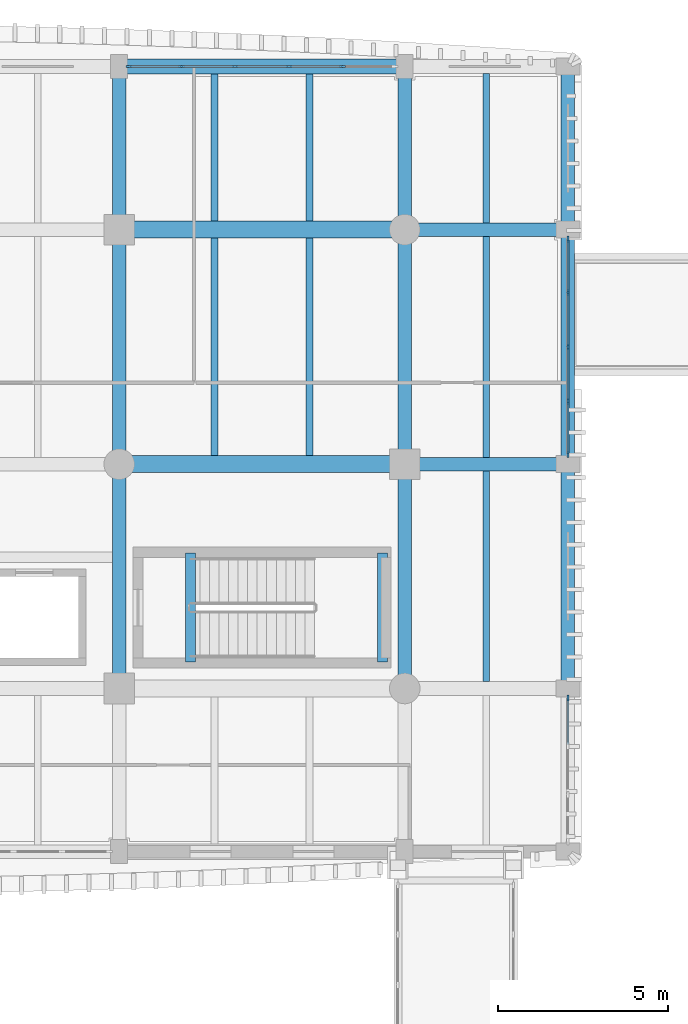
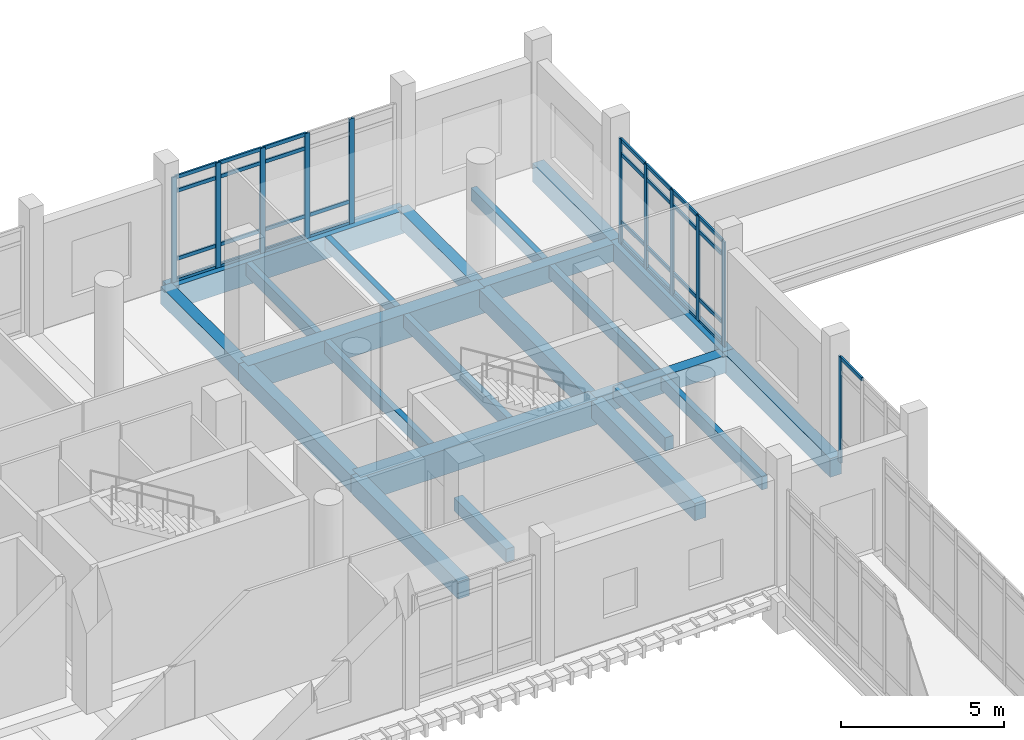
# One storey, part 29 of 101: 42 members, 23 beams, 3 elements without a shape of their own.
"""IFC4 building model written with IfcOpenShell, lengths in metres."""

from ifc_helpers import new_model, si_unit, direction, frame, origin, origin_2d, place, context, subcontext, project, spatial, rectangle, extrude, material, material_profile, profile_set, type_object, element, aggregate, save


model = new_model("IFC4")

# Units and contexts
model_context = context("Model", 3, precision=1e-05, world=origin(), true_north=direction((0.0, 1.0)))
body_context = subcontext(model_context, "Body", "Model", "MODEL_VIEW")
ifc_project = project(units=[si_unit("LENGTHUNIT", "METRE"), si_unit("AREAUNIT", "SQUARE_METRE"), si_unit("VOLUMEUNIT", "CUBIC_METRE"), si_unit("PLANEANGLEUNIT", "RADIAN"), si_unit("MASSUNIT", "GRAM", prefix="KILO")], contexts=[model_context])

# Site, building, storey
site_placement = place(None, origin())
site = spatial("IfcSite", under=ifc_project, at=site_placement, CompositionType="ELEMENT")
building_placement = place(site_placement, origin())
building = spatial("IfcBuilding", under=site, at=building_placement, Name="Dornvale Research Institute", CompositionType="ELEMENT")
storey_placement = place(building_placement, frame((0.0, 0.0, 10.199951171875)))
storey = spatial("IfcBuildingStorey", under=building, at=storey_placement, Name="L02", CompositionType="ELEMENT", Elevation=10.199951171875)

# Beams
ifc_material_1 = material(Name="Concrete f'c 45 MPa (C35/45)", Category="concrete")
ifc_material_profile_1 = material_profile(ifc_material_1, rectangle(XDim=0.300048828125, YDim=0.5, at=origin_2d()), Name="RC 300x500")
ifc_profile_set_1 = profile_set([ifc_material_profile_1], Name="Concrete f'c 45 MPa (C35/45)")
beam_type_1 = type_object("IfcBeamType", Name="Beam_RC300x500_Trim", PredefinedType="BEAM", material=ifc_profile_set_1)
for number, where, z_axis, x_axis, name in (
    (1, (35.10009765625, 104.580078125, -0.25), (0.0, 1.0, 0.0), (-1.0, 0.0, 0.0), "L02 ST-2 stair landing trimmer beam #26"),
    (2, (40.75, 104.580078125, 1.949951171875), (0.0, 1.0, 0.0), (-1.0, 0.0, 0.0), "L02 ST-2 half-landing support beam #39"),
):
    element("IfcBeam", number, at=place(storey_placement, frame(where, z_axis=z_axis, x_axis=x_axis)), inside=storey, type_object=beam_type_1, Name=name, PredefinedType="BEAM", context=body_context, shape_type="SweptSolid", body=[
        extrude(rectangle(XDim=0.300048828125, YDim=0.5, at=origin_2d()), origin(), (0.0, 0.0, 1.0), 3.199951171875),
    ])
ifc_material_2 = material(Name="Concrete f'c 45 MPa (C35/45)", Category="concrete")
ifc_material_profile_2 = material_profile(ifc_material_2, rectangle(XDim=0.39990234375, YDim=0.64990234375, at=origin_2d()), Name="RC 400x650")
ifc_profile_set_2 = profile_set([ifc_material_profile_2], Name="Concrete f'c 45 MPa (C35/45)")
beam_type_2 = type_object("IfcBeamType", Name="Beam_RC400x650_Floor", PredefinedType="BEAM", material=ifc_profile_set_2)
for number, where, z_axis, x_axis, name in (
    (3, (41.39990234375, 110.39990234375, -0.324951171875), (1.0, 0.0, 0.0), (0.0, 1.0, 0.0), "L02 primary girder #588"),
    (4, (41.39990234375, 117.300048828125, -0.324951171875), (1.0, 0.0, 0.0), (0.0, 1.0, 0.0), "L02 primary girder #595"),
):
    element("IfcBeam", number, at=place(storey_placement, frame(where, z_axis=z_axis, x_axis=x_axis)), inside=storey, type_object=beam_type_2, Name=name, PredefinedType="BEAM", context=body_context, shape_type="SweptSolid", body=[
        extrude(rectangle(XDim=0.39990234375, YDim=0.64990234375, at=origin_2d()), origin(), (0.0, 0.0, 1.0), 4.800048828125),
    ])
beam_1_placement = place(storey_placement, frame((33.0, 103.800048828125, -0.324951171875), z_axis=(0.0, 1.0, 0.0), x_axis=(-1.0, 0.0, 0.0)))
element("IfcBeam", 5, at=beam_1_placement, inside=storey, type_object=beam_type_2, Name="L02 transverse girder #624", PredefinedType="BEAM", context=body_context, shape_type="SweptSolid", body=[
    extrude(rectangle(XDim=0.39990234375, YDim=0.64990234375, at=origin_2d()), origin(), (0.0, 0.0, 1.0), 6.599853515625),
])
beam_2_placement = place(storey_placement, frame((33.0, 110.39990234375, -0.324951171875), z_axis=(0.0, 1.0, 0.0), x_axis=(-1.0, 0.0, 0.0)))
element("IfcBeam", 6, at=beam_2_placement, inside=storey, type_object=beam_type_2, Name="L02 transverse girder #625", PredefinedType="BEAM", context=body_context, shape_type="SweptSolid", body=[
    extrude(rectangle(XDim=0.39990234375, YDim=0.64990234375, at=origin_2d()), origin(), (0.0, 0.0, 1.0), 6.900146484375),
])
beam_3_placement = place(storey_placement, frame((33.0, 117.300048828125, -0.324951171875), z_axis=(0.0, 1.0, 0.0), x_axis=(-1.0, 0.0, 0.0)))
element("IfcBeam", 7, at=beam_3_placement, inside=storey, type_object=beam_type_2, Name="L02 transverse girder #626", PredefinedType="BEAM", context=body_context, shape_type="SweptSolid", body=[
    extrude(rectangle(XDim=0.39990234375, YDim=0.64990234375, at=origin_2d()), origin(), (0.0, 0.0, 1.0), 4.800048828125),
])
beam_4_placement = place(storey_placement, frame((41.39990234375, 103.800048828125, -0.324951171875), z_axis=(0.0, 1.0, 0.0), x_axis=(-1.0, 0.0, 0.0)))
element("IfcBeam", 8, at=beam_4_placement, inside=storey, type_object=beam_type_2, Name="L02 transverse girder #628", PredefinedType="BEAM", context=body_context, shape_type="SweptSolid", body=[
    extrude(rectangle(XDim=0.39990234375, YDim=0.64990234375, at=origin_2d()), origin(), (0.0, 0.0, 1.0), 6.599853515625),
])
beam_5_placement = place(storey_placement, frame((41.39990234375, 110.39990234375, -0.324951171875), z_axis=(0.0, 1.0, 0.0), x_axis=(-1.0, 0.0, 0.0)))
element("IfcBeam", 9, at=beam_5_placement, inside=storey, type_object=beam_type_2, Name="L02 transverse girder #629", PredefinedType="BEAM", context=body_context, shape_type="SweptSolid", body=[
    extrude(rectangle(XDim=0.39990234375, YDim=0.64990234375, at=origin_2d()), origin(), (0.0, 0.0, 1.0), 6.900146484375),
])
beam_6_placement = place(storey_placement, frame((41.39990234375, 117.300048828125, -0.324951171875), z_axis=(0.0, 1.0, 0.0), x_axis=(-1.0, 0.0, 0.0)))
element("IfcBeam", 10, at=beam_6_placement, inside=storey, type_object=beam_type_2, Name="L02 transverse girder #630", PredefinedType="BEAM", context=body_context, shape_type="SweptSolid", body=[
    extrude(rectangle(XDim=0.39990234375, YDim=0.64990234375, at=origin_2d()), origin(), (0.0, 0.0, 1.0), 4.800048828125),
])
ifc_material_3 = material(Name="Concrete f'c 45 MPa (C35/45)", Category="concrete")
ifc_material_profile_3 = material_profile(ifc_material_3, rectangle(XDim=0.5, YDim=0.949951171875, at=origin_2d()), Name="RC 500x950")
ifc_profile_set_3 = profile_set([ifc_material_profile_3], Name="Concrete f'c 45 MPa (C35/45)")
beam_type_3 = type_object("IfcBeamType", Name="Beam_RC500x950_Girder", PredefinedType="BEAM", material=ifc_profile_set_3)
for number, where, z_axis, x_axis, name in (
    (11, (33.0, 110.39990234375, -0.474853515625), (1.0, 0.0, 0.0), (0.0, 1.0, 0.0), "L02 primary girder #587"),
    (12, (33.0, 117.300048828125, -0.474853515625), (1.0, 0.0, 0.0), (0.0, 1.0, 0.0), "L02 primary girder #594"),
):
    element("IfcBeam", number, at=place(storey_placement, frame(where, z_axis=z_axis, x_axis=x_axis)), inside=storey, type_object=beam_type_3, Name=name, PredefinedType="BEAM", context=body_context, shape_type="SweptSolid", body=[
        extrude(rectangle(XDim=0.5, YDim=0.949951171875, at=origin_2d()), origin(), (0.0, 0.0, 1.0), 8.39990234375),
    ])
ifc_material_4 = material(Name="Concrete f'c 45 MPa (C35/45)", Category="concrete")
ifc_material_profile_4 = material_profile(ifc_material_4, rectangle(XDim=0.199951171875, YDim=0.485107421875, at=origin_2d()), Name="RC 200x485")
ifc_profile_set_4 = profile_set([ifc_material_profile_4], Name="Concrete f'c 45 MPa (C35/45)")
beam_type_4 = type_object("IfcBeamType", Name="Joist_RC200x485_Rib", PredefinedType="JOIST", material=ifc_profile_set_4)
for number, where, z_axis, x_axis, name in (
    (13, (35.800048828125, 110.64990234375, -0.242431640625), (0.0, 1.0, 0.0), (-1.0, 0.0, 0.0), "L02 laboratory waffle joist #306"),
    (14, (38.60009765625, 110.64990234375, -0.242431640625), (0.0, 1.0, 0.0), (-1.0, 0.0, 0.0), "L02 laboratory waffle joist #307"),
):
    element("IfcBeam", number, at=place(storey_placement, frame(where, z_axis=z_axis, x_axis=x_axis)), inside=storey, type_object=beam_type_4, Name=name, PredefinedType="JOIST", context=body_context, shape_type="SweptSolid", body=[
        extrude(rectangle(XDim=0.199951171875, YDim=0.485107421875, at=origin_2d()), origin(), (0.0, 0.0, 1.0), 6.400146484375),
    ])
for number, where, z_axis, x_axis, name in (
    (15, (35.800048828125, 117.550048828125, -0.242431640625), (0.0, 1.0, 0.0), (-1.0, 0.0, 0.0), "L02 laboratory waffle joist #308"),
    (16, (38.60009765625, 117.550048828125, -0.242431640625), (0.0, 1.0, 0.0), (-1.0, 0.0, 0.0), "L02 laboratory waffle joist #309"),
):
    element("IfcBeam", number, at=place(storey_placement, frame(where, z_axis=z_axis, x_axis=x_axis)), inside=storey, type_object=beam_type_4, Name=name, PredefinedType="JOIST", context=body_context, shape_type="SweptSolid", body=[
        extrude(rectangle(XDim=0.199951171875, YDim=0.485107421875, at=origin_2d()), origin(), (0.0, 0.0, 1.0), 4.324951171875),
    ])
beam_7_placement = place(storey_placement, frame((43.800048828125, 104.0, -0.242431640625), z_axis=(0.0, 1.0, 0.0), x_axis=(-1.0, 0.0, 0.0)))
element("IfcBeam", 17, at=beam_7_placement, inside=storey, type_object=beam_type_4, Name="L02 laboratory waffle joist #311", PredefinedType="JOIST", context=body_context, shape_type="SweptSolid", body=[
    extrude(rectangle(XDim=0.199951171875, YDim=0.485107421875, at=origin_2d()), origin(), (0.0, 0.0, 1.0), 6.199951171875),
])
beam_8_placement = place(storey_placement, frame((43.800048828125, 110.60009765625, -0.242431640625), z_axis=(0.0, 1.0, 0.0), x_axis=(-1.0, 0.0, 0.0)))
element("IfcBeam", 18, at=beam_8_placement, inside=storey, type_object=beam_type_4, Name="L02 laboratory waffle joist #312", PredefinedType="JOIST", context=body_context, shape_type="SweptSolid", body=[
    extrude(rectangle(XDim=0.199951171875, YDim=0.485107421875, at=origin_2d()), origin(), (0.0, 0.0, 1.0), 6.5),
])
beam_9_placement = place(storey_placement, frame((43.800048828125, 117.5, -0.242431640625), z_axis=(0.0, 1.0, 0.0), x_axis=(-1.0, 0.0, 0.0)))
element("IfcBeam", 19, at=beam_9_placement, inside=storey, type_object=beam_type_4, Name="L02 laboratory waffle joist #313", PredefinedType="JOIST", context=body_context, shape_type="SweptSolid", body=[
    extrude(rectangle(XDim=0.199951171875, YDim=0.485107421875, at=origin_2d()), origin(), (0.0, 0.0, 1.0), 4.39990234375),
])

# Curtain wall, members
ifc_material_5 = material(Name="Low-E Argon Double Insulating Glazing Unit", Category="glass")
curtain_wall_type_1 = type_object("IfcCurtainWallType", Name="UnitisedCurtainWall_V5_7900x3950", PredefinedType="USERDEFINED", material=ifc_material_5)
curtain_wall_1_placement = place(storey_placement, origin())
curtain_wall_1 = element("IfcCurtainWall", 20, at=curtain_wall_1_placement, inside=storey, type_object=curtain_wall_type_1, Name="L02 V5 unitised curtain wall CW-24 #142", ObjectType="UNITISED CURTAIN WALL", PredefinedType="USERDEFINED")
ifc_material_6 = material(Name="Anodized Aluminum AA 6063-T6 Thermally Broken Frame", Category="aluminium")
ifc_material_profile_5 = material_profile(ifc_material_6, rectangle(XDim=0.06494140625, YDim=0.179931640625, at=origin_2d()), Name="ALU MULLION 65x180")
ifc_profile_set_5 = profile_set([ifc_material_profile_5], Name="Anodized Aluminum AA 6063-T6 Thermally Broken Frame")
member_type_1 = type_object("IfcMemberType", Name="Mullion_CW_65x180", PredefinedType="MULLION", material=ifc_profile_set_5)
member_1_placement = place(storey_placement, frame((33.282470703125, 122.10009765625, 0.0), z_axis=(0.0, 0.0, 1.0), x_axis=(0.0, 1.0, 0.0)))
member_1 = element("IfcMember", 21, at=member_1_placement, type_object=member_type_1, Name="CW-24 mullion 1", PredefinedType="MULLION", context=body_context, shape_type="SweptSolid", body=[
    extrude(rectangle(XDim=0.06494140625, YDim=0.179931640625, at=origin_2d()), origin(), (0.0, 0.0, 1.0), 3.949951171875),
])
member_2_placement = place(storey_placement, frame((34.830078125, 122.10009765625, 0.0), z_axis=(0.0, 0.0, 1.0), x_axis=(0.0, 1.0, 0.0)))
member_2 = element("IfcMember", 22, at=member_2_placement, type_object=member_type_1, Name="CW-24 mullion 2", PredefinedType="MULLION", context=body_context, shape_type="SweptSolid", body=[
    extrude(rectangle(XDim=0.06494140625, YDim=0.179931640625, at=origin_2d()), origin(), (0.0, 0.0, 1.0), 3.949951171875),
])
member_3_placement = place(storey_placement, frame((36.409912109375, 122.10009765625, 0.0), z_axis=(0.0, 0.0, 1.0), x_axis=(0.0, 1.0, 0.0)))
member_3 = element("IfcMember", 23, at=member_3_placement, type_object=member_type_1, Name="CW-24 mullion 3", PredefinedType="MULLION", context=body_context, shape_type="SweptSolid", body=[
    extrude(rectangle(XDim=0.06494140625, YDim=0.179931640625, at=origin_2d()), origin(), (0.0, 0.0, 1.0), 3.949951171875),
])
member_4_placement = place(storey_placement, frame((37.989990234375, 122.10009765625, 0.0), z_axis=(0.0, 0.0, 1.0), x_axis=(0.0, 1.0, 0.0)))
member_4 = element("IfcMember", 24, at=member_4_placement, type_object=member_type_1, Name="CW-24 mullion 4", PredefinedType="MULLION", context=body_context, shape_type="SweptSolid", body=[
    extrude(rectangle(XDim=0.06494140625, YDim=0.179931640625, at=origin_2d()), origin(), (0.0, 0.0, 1.0), 3.949951171875),
])
member_5_placement = place(storey_placement, frame((39.570068359375, 122.10009765625, 0.0), z_axis=(0.0, 0.0, 1.0), x_axis=(0.0, 1.0, 0.0)))
member_5 = element("IfcMember", 25, at=member_5_placement, type_object=member_type_1, Name="CW-24 mullion 5", PredefinedType="MULLION", context=body_context, shape_type="SweptSolid", body=[
    extrude(rectangle(XDim=0.06494140625, YDim=0.179931640625, at=origin_2d()), origin(), (0.0, 0.0, 1.0), 3.949951171875),
])

ifc_material_7 = material(Name="Low-E Argon Double Insulating Glazing Unit", Category="glass")
curtain_wall_type_2 = type_object("IfcCurtainWallType", Name="UnitisedCurtainWall_V5_6400x3950", PredefinedType="USERDEFINED", material=ifc_material_7)
curtain_wall_2_placement = place(storey_placement, origin())
curtain_wall_2 = element("IfcCurtainWall", 26, at=curtain_wall_2_placement, inside=storey, type_object=curtain_wall_type_2, Name="L02 V5 unitised curtain wall CW-28 #143", ObjectType="UNITISED CURTAIN WALL", PredefinedType="USERDEFINED")
member_6_placement = place(storey_placement, frame((46.199951171875, 117.017578125, 0.0), z_axis=(0.0, 0.0, 1.0), x_axis=(1.0, 0.0, 0.0)))
member_6 = element("IfcMember", 27, at=member_6_placement, type_object=member_type_1, Name="CW-28 mullion 1", PredefinedType="MULLION", context=body_context, shape_type="SweptSolid", body=[
    extrude(rectangle(XDim=0.06494140625, YDim=0.179931640625, at=origin_2d()), origin(), (0.0, 0.0, 1.0), 3.949951171875),
])
member_7_placement = place(storey_placement, frame((46.199951171875, 115.449951171875, 0.0), z_axis=(0.0, 0.0, 1.0), x_axis=(1.0, 0.0, 0.0)))
member_7 = element("IfcMember", 28, at=member_7_placement, type_object=member_type_1, Name="CW-28 mullion 2", PredefinedType="MULLION", context=body_context, shape_type="SweptSolid", body=[
    extrude(rectangle(XDim=0.06494140625, YDim=0.179931640625, at=origin_2d()), origin(), (0.0, 0.0, 1.0), 3.949951171875),
])
member_8_placement = place(storey_placement, frame((46.199951171875, 113.85009765625, 0.0), z_axis=(0.0, 0.0, 1.0), x_axis=(1.0, 0.0, 0.0)))
member_8 = element("IfcMember", 29, at=member_8_placement, type_object=member_type_1, Name="CW-28 mullion 3", PredefinedType="MULLION", context=body_context, shape_type="SweptSolid", body=[
    extrude(rectangle(XDim=0.06494140625, YDim=0.179931640625, at=origin_2d()), origin(), (0.0, 0.0, 1.0), 3.949951171875),
])
member_9_placement = place(storey_placement, frame((46.199951171875, 112.25, 0.0), z_axis=(0.0, 0.0, 1.0), x_axis=(1.0, 0.0, 0.0)))
member_9 = element("IfcMember", 30, at=member_9_placement, type_object=member_type_1, Name="CW-28 mullion 4", PredefinedType="MULLION", context=body_context, shape_type="SweptSolid", body=[
    extrude(rectangle(XDim=0.06494140625, YDim=0.179931640625, at=origin_2d()), origin(), (0.0, 0.0, 1.0), 3.949951171875),
])
member_10_placement = place(storey_placement, frame((46.199951171875, 110.6826171875, 0.0), z_axis=(0.0, 0.0, 1.0), x_axis=(1.0, 0.0, 0.0)))
member_10 = element("IfcMember", 31, at=member_10_placement, type_object=member_type_1, Name="CW-28 mullion 5", PredefinedType="MULLION", context=body_context, shape_type="SweptSolid", body=[
    extrude(rectangle(XDim=0.06494140625, YDim=0.179931640625, at=origin_2d()), origin(), (0.0, 0.0, 1.0), 3.949951171875),
])

# Curtain wall, member
ifc_material_8 = material(Name="Low-E Argon Double Insulating Glazing Unit", Category="glass")
curtain_wall_type_3 = type_object("IfcCurtainWallType", Name="UnitisedCurtainWall_V5_4300x3950", PredefinedType="USERDEFINED", material=ifc_material_8)
curtain_wall_3_placement = place(storey_placement, origin())
curtain_wall_3 = element("IfcCurtainWall", 32, at=curtain_wall_3_placement, inside=storey, type_object=curtain_wall_type_3, Name="L02 V5 unitised curtain wall CW-25 #144", ObjectType="UNITISED CURTAIN WALL", PredefinedType="USERDEFINED")
member_11_placement = place(storey_placement, frame((46.199951171875, 103.517578125, 0.0), z_axis=(0.0, 0.0, 1.0), x_axis=(1.0, 0.0, 0.0)))
member_11 = element("IfcMember", 33, at=member_11_placement, type_object=member_type_1, Name="CW-25 mullion 1", PredefinedType="MULLION", context=body_context, shape_type="SweptSolid", body=[
    extrude(rectangle(XDim=0.06494140625, YDim=0.179931640625, at=origin_2d()), origin(), (0.0, 0.0, 1.0), 3.949951171875),
])

# Beams
ifc_material_9 = material(Name="Concrete f'c 45 MPa (C35/45)", Category="concrete")
ifc_material_profile_6 = material_profile(ifc_material_9, rectangle(XDim=0.39990234375, YDim=0.699951171875, at=origin_2d()), Name="RC 400x700")
ifc_profile_set_6 = profile_set([ifc_material_profile_6], Name="Concrete f'c 45 MPa (C35/45)")
beam_type_5 = type_object("IfcBeamType", Name="Spandrel_RC400x700_Ext", PredefinedType="SPANDREL", material=ifc_profile_set_6)
beam_10_placement = place(storey_placement, frame((46.199951171875, 103.800048828125, -0.349853515625), z_axis=(0.0, 1.0, 0.0), x_axis=(-1.0, 0.0, 0.0)))
element("IfcBeam", 34, at=beam_10_placement, inside=storey, type_object=beam_type_5, Name="L02 perimeter spandrel #632", PredefinedType="SPANDREL", context=body_context, shape_type="SweptSolid", body=[
    extrude(rectangle(XDim=0.39990234375, YDim=0.699951171875, at=origin_2d()), origin(), (0.0, 0.0, 1.0), 6.599853515625),
])
beam_11_placement = place(storey_placement, frame((46.199951171875, 110.39990234375, -0.349853515625), z_axis=(0.0, 1.0, 0.0), x_axis=(-1.0, 0.0, 0.0)))
element("IfcBeam", 35, at=beam_11_placement, inside=storey, type_object=beam_type_5, Name="L02 perimeter spandrel #633", PredefinedType="SPANDREL", context=body_context, shape_type="SweptSolid", body=[
    extrude(rectangle(XDim=0.39990234375, YDim=0.699951171875, at=origin_2d()), origin(), (0.0, 0.0, 1.0), 6.900146484375),
])
beam_12_placement = place(storey_placement, frame((46.199951171875, 117.300048828125, -0.349853515625), z_axis=(0.0, 1.0, 0.0), x_axis=(-1.0, 0.0, 0.0)))
element("IfcBeam", 36, at=beam_12_placement, inside=storey, type_object=beam_type_5, Name="L02 perimeter spandrel #634", PredefinedType="SPANDREL", context=body_context, shape_type="SweptSolid", body=[
    extrude(rectangle(XDim=0.39990234375, YDim=0.699951171875, at=origin_2d()), origin(), (0.0, 0.0, 1.0), 4.800048828125),
])
ifc_material_10 = material(Name="Concrete f'c 45 MPa (C35/45)", Category="concrete")
ifc_material_profile_7 = material_profile(ifc_material_10, rectangle(XDim=0.449951171875, YDim=0.85009765625, at=origin_2d()), Name="RC 450x850")
ifc_profile_set_7 = profile_set([ifc_material_profile_7], Name="Concrete f'c 45 MPa (C35/45)")
beam_type_6 = type_object("IfcBeamType", Name="Spandrel_RC450x850_Ext", PredefinedType="SPANDREL", material=ifc_profile_set_7)
beam_13_placement = place(storey_placement, frame((33.0, 122.10009765625, -0.425048828125), z_axis=(1.0, 0.0, 0.0), x_axis=(0.0, 1.0, 0.0)))
element("IfcBeam", 37, at=beam_13_placement, inside=storey, type_object=beam_type_6, Name="L02 perimeter spandrel #601", PredefinedType="SPANDREL", context=body_context, shape_type="SweptSolid", body=[
    extrude(rectangle(XDim=0.449951171875, YDim=0.85009765625, at=origin_2d()), origin(), (0.0, 0.0, 1.0), 8.39990234375),
])

# Member
ifc_material_11 = material(Name="Anodized Aluminum AA 6063-T6 Thermally Broken Frame", Category="aluminium")
ifc_material_profile_8 = material_profile(ifc_material_11, rectangle(XDim=0.06494140625, YDim=0.135009765625, at=origin_2d()), Name="ALU TRANSOM 65x135")
ifc_profile_set_8 = profile_set([ifc_material_profile_8], Name="Anodized Aluminum AA 6063-T6 Thermally Broken Frame")
member_type_2 = type_object("IfcMemberType", Name="Transom_CW_65x135", PredefinedType="USERDEFINED", material=ifc_profile_set_8)
member_12_placement = place(storey_placement, frame((33.31494140625, 122.10009765625, 0.032470703125), z_axis=(1.0, 0.0, 0.0), x_axis=(0.0, 1.0, 0.0)))
member_12 = element("IfcMember", 38, at=member_12_placement, type_object=member_type_2, Name="CW-24 transom 1.1", ObjectType="TRANSOM", PredefinedType="USERDEFINED", context=body_context, shape_type="SweptSolid", body=[
    extrude(rectangle(XDim=0.06494140625, YDim=0.135009765625, at=origin_2d()), origin(), (0.0, 0.0, 1.0), 1.482666015625),
])

member_13_placement = place(storey_placement, frame((33.31494140625, 122.10009765625, 0.85009765625), z_axis=(1.0, 0.0, 0.0), x_axis=(0.0, 1.0, 0.0)))
member_13 = element("IfcMember", 39, at=member_13_placement, type_object=member_type_2, Name="CW-24 transom 1.2", ObjectType="TRANSOM", PredefinedType="USERDEFINED", context=body_context, shape_type="SweptSolid", body=[
    extrude(rectangle(XDim=0.06494140625, YDim=0.135009765625, at=origin_2d()), origin(), (0.0, 0.0, 1.0), 1.482666015625),
])

member_14_placement = place(storey_placement, frame((33.31494140625, 122.10009765625, 3.400146484375), z_axis=(1.0, 0.0, 0.0), x_axis=(0.0, 1.0, 0.0)))
member_14 = element("IfcMember", 40, at=member_14_placement, type_object=member_type_2, Name="CW-24 transom 1.3", ObjectType="TRANSOM", PredefinedType="USERDEFINED", context=body_context, shape_type="SweptSolid", body=[
    extrude(rectangle(XDim=0.06494140625, YDim=0.135009765625, at=origin_2d()), origin(), (0.0, 0.0, 1.0), 1.482666015625),
])

member_15_placement = place(storey_placement, frame((33.31494140625, 122.10009765625, 3.91748046875), z_axis=(1.0, 0.0, 0.0), x_axis=(0.0, 1.0, 0.0)))
member_15 = element("IfcMember", 41, at=member_15_placement, type_object=member_type_2, Name="CW-24 transom 1.4", ObjectType="TRANSOM", PredefinedType="USERDEFINED", context=body_context, shape_type="SweptSolid", body=[
    extrude(rectangle(XDim=0.06494140625, YDim=0.135009765625, at=origin_2d()), origin(), (0.0, 0.0, 1.0), 1.482666015625),
])

member_16_placement = place(storey_placement, frame((34.862548828125, 122.10009765625, 0.032470703125), z_axis=(1.0, 0.0, 0.0), x_axis=(0.0, 1.0, 0.0)))
member_16 = element("IfcMember", 42, at=member_16_placement, type_object=member_type_2, Name="CW-24 transom 2.1", ObjectType="TRANSOM", PredefinedType="USERDEFINED", context=body_context, shape_type="SweptSolid", body=[
    extrude(rectangle(XDim=0.06494140625, YDim=0.135009765625, at=origin_2d()), origin(), (0.0, 0.0, 1.0), 1.514892578125),
])

member_17_placement = place(storey_placement, frame((34.862548828125, 122.10009765625, 0.85009765625), z_axis=(1.0, 0.0, 0.0), x_axis=(0.0, 1.0, 0.0)))
member_17 = element("IfcMember", 43, at=member_17_placement, type_object=member_type_2, Name="CW-24 transom 2.2", ObjectType="TRANSOM", PredefinedType="USERDEFINED", context=body_context, shape_type="SweptSolid", body=[
    extrude(rectangle(XDim=0.06494140625, YDim=0.135009765625, at=origin_2d()), origin(), (0.0, 0.0, 1.0), 1.514892578125),
])

member_18_placement = place(storey_placement, frame((34.862548828125, 122.10009765625, 3.400146484375), z_axis=(1.0, 0.0, 0.0), x_axis=(0.0, 1.0, 0.0)))
member_18 = element("IfcMember", 44, at=member_18_placement, type_object=member_type_2, Name="CW-24 transom 2.3", ObjectType="TRANSOM", PredefinedType="USERDEFINED", context=body_context, shape_type="SweptSolid", body=[
    extrude(rectangle(XDim=0.06494140625, YDim=0.135009765625, at=origin_2d()), origin(), (0.0, 0.0, 1.0), 1.514892578125),
])

member_19_placement = place(storey_placement, frame((34.862548828125, 122.10009765625, 3.91748046875), z_axis=(1.0, 0.0, 0.0), x_axis=(0.0, 1.0, 0.0)))
member_19 = element("IfcMember", 45, at=member_19_placement, type_object=member_type_2, Name="CW-24 transom 2.4", ObjectType="TRANSOM", PredefinedType="USERDEFINED", context=body_context, shape_type="SweptSolid", body=[
    extrude(rectangle(XDim=0.06494140625, YDim=0.135009765625, at=origin_2d()), origin(), (0.0, 0.0, 1.0), 1.514892578125),
])

member_20_placement = place(storey_placement, frame((36.4423828125, 122.10009765625, 0.032470703125), z_axis=(1.0, 0.0, 0.0), x_axis=(0.0, 1.0, 0.0)))
member_20 = element("IfcMember", 46, at=member_20_placement, type_object=member_type_2, Name="CW-24 transom 3.1", ObjectType="TRANSOM", PredefinedType="USERDEFINED", context=body_context, shape_type="SweptSolid", body=[
    extrude(rectangle(XDim=0.06494140625, YDim=0.135009765625, at=origin_2d()), origin(), (0.0, 0.0, 1.0), 1.51513671875),
])

member_21_placement = place(storey_placement, frame((36.4423828125, 122.10009765625, 0.85009765625), z_axis=(1.0, 0.0, 0.0), x_axis=(0.0, 1.0, 0.0)))
member_21 = element("IfcMember", 47, at=member_21_placement, type_object=member_type_2, Name="CW-24 transom 3.2", ObjectType="TRANSOM", PredefinedType="USERDEFINED", context=body_context, shape_type="SweptSolid", body=[
    extrude(rectangle(XDim=0.06494140625, YDim=0.135009765625, at=origin_2d()), origin(), (0.0, 0.0, 1.0), 1.51513671875),
])

member_22_placement = place(storey_placement, frame((36.4423828125, 122.10009765625, 3.400146484375), z_axis=(1.0, 0.0, 0.0), x_axis=(0.0, 1.0, 0.0)))
member_22 = element("IfcMember", 48, at=member_22_placement, type_object=member_type_2, Name="CW-24 transom 3.3", ObjectType="TRANSOM", PredefinedType="USERDEFINED", context=body_context, shape_type="SweptSolid", body=[
    extrude(rectangle(XDim=0.06494140625, YDim=0.135009765625, at=origin_2d()), origin(), (0.0, 0.0, 1.0), 1.51513671875),
])

member_23_placement = place(storey_placement, frame((36.4423828125, 122.10009765625, 3.91748046875), z_axis=(1.0, 0.0, 0.0), x_axis=(0.0, 1.0, 0.0)))
member_23 = element("IfcMember", 49, at=member_23_placement, type_object=member_type_2, Name="CW-24 transom 3.4", ObjectType="TRANSOM", PredefinedType="USERDEFINED", context=body_context, shape_type="SweptSolid", body=[
    extrude(rectangle(XDim=0.06494140625, YDim=0.135009765625, at=origin_2d()), origin(), (0.0, 0.0, 1.0), 1.51513671875),
])

member_24_placement = place(storey_placement, frame((38.0224609375, 122.10009765625, 0.032470703125), z_axis=(1.0, 0.0, 0.0), x_axis=(0.0, 1.0, 0.0)))
member_24 = element("IfcMember", 50, at=member_24_placement, type_object=member_type_2, Name="CW-24 transom 4.1", ObjectType="TRANSOM", PredefinedType="USERDEFINED", context=body_context, shape_type="SweptSolid", body=[
    extrude(rectangle(XDim=0.06494140625, YDim=0.135009765625, at=origin_2d()), origin(), (0.0, 0.0, 1.0), 1.51513671875),
])

member_25_placement = place(storey_placement, frame((38.0224609375, 122.10009765625, 0.85009765625), z_axis=(1.0, 0.0, 0.0), x_axis=(0.0, 1.0, 0.0)))
member_25 = element("IfcMember", 51, at=member_25_placement, type_object=member_type_2, Name="CW-24 transom 4.2", ObjectType="TRANSOM", PredefinedType="USERDEFINED", context=body_context, shape_type="SweptSolid", body=[
    extrude(rectangle(XDim=0.06494140625, YDim=0.135009765625, at=origin_2d()), origin(), (0.0, 0.0, 1.0), 1.51513671875),
])

aggregate(curtain_wall_1, [member_1, member_2, member_3, member_4, member_5, member_12, member_13, member_14, member_15, member_16, member_17, member_18, member_19, member_20, member_21, member_22, member_23, member_24, member_25])

member_26_placement = place(storey_placement, frame((46.199951171875, 116.985107421875, 0.032470703125), z_axis=(0.0, -1.0, 0.0), x_axis=(1.0, 0.0, 0.0)))
member_26 = element("IfcMember", 52, at=member_26_placement, type_object=member_type_2, Name="CW-28 transom 1.1", ObjectType="TRANSOM", PredefinedType="USERDEFINED", context=body_context, shape_type="SweptSolid", body=[
    extrude(rectangle(XDim=0.06494140625, YDim=0.135009765625, at=origin_2d()), origin(), (0.0, 0.0, 1.0), 1.502685546875),
])

member_27_placement = place(storey_placement, frame((46.199951171875, 116.985107421875, 0.85009765625), z_axis=(0.0, -1.0, 0.0), x_axis=(1.0, 0.0, 0.0)))
member_27 = element("IfcMember", 53, at=member_27_placement, type_object=member_type_2, Name="CW-28 transom 1.2", ObjectType="TRANSOM", PredefinedType="USERDEFINED", context=body_context, shape_type="SweptSolid", body=[
    extrude(rectangle(XDim=0.06494140625, YDim=0.135009765625, at=origin_2d()), origin(), (0.0, 0.0, 1.0), 1.502685546875),
])

member_28_placement = place(storey_placement, frame((46.199951171875, 116.985107421875, 3.400146484375), z_axis=(0.0, -1.0, 0.0), x_axis=(1.0, 0.0, 0.0)))
member_28 = element("IfcMember", 54, at=member_28_placement, type_object=member_type_2, Name="CW-28 transom 1.3", ObjectType="TRANSOM", PredefinedType="USERDEFINED", context=body_context, shape_type="SweptSolid", body=[
    extrude(rectangle(XDim=0.06494140625, YDim=0.135009765625, at=origin_2d()), origin(), (0.0, 0.0, 1.0), 1.502685546875),
])

member_29_placement = place(storey_placement, frame((46.199951171875, 116.985107421875, 3.91748046875), z_axis=(0.0, -1.0, 0.0), x_axis=(1.0, 0.0, 0.0)))
member_29 = element("IfcMember", 55, at=member_29_placement, type_object=member_type_2, Name="CW-28 transom 1.4", ObjectType="TRANSOM", PredefinedType="USERDEFINED", context=body_context, shape_type="SweptSolid", body=[
    extrude(rectangle(XDim=0.06494140625, YDim=0.135009765625, at=origin_2d()), origin(), (0.0, 0.0, 1.0), 1.502685546875),
])

member_30_placement = place(storey_placement, frame((46.199951171875, 115.41748046875, 0.032470703125), z_axis=(0.0, -1.0, 0.0), x_axis=(1.0, 0.0, 0.0)))
member_30 = element("IfcMember", 56, at=member_30_placement, type_object=member_type_2, Name="CW-28 transom 2.1", ObjectType="TRANSOM", PredefinedType="USERDEFINED", context=body_context, shape_type="SweptSolid", body=[
    extrude(rectangle(XDim=0.06494140625, YDim=0.135009765625, at=origin_2d()), origin(), (0.0, 0.0, 1.0), 1.534912109375),
])

member_31_placement = place(storey_placement, frame((46.199951171875, 115.41748046875, 0.85009765625), z_axis=(0.0, -1.0, 0.0), x_axis=(1.0, 0.0, 0.0)))
member_31 = element("IfcMember", 57, at=member_31_placement, type_object=member_type_2, Name="CW-28 transom 2.2", ObjectType="TRANSOM", PredefinedType="USERDEFINED", context=body_context, shape_type="SweptSolid", body=[
    extrude(rectangle(XDim=0.06494140625, YDim=0.135009765625, at=origin_2d()), origin(), (0.0, 0.0, 1.0), 1.534912109375),
])

member_32_placement = place(storey_placement, frame((46.199951171875, 115.41748046875, 3.400146484375), z_axis=(0.0, -1.0, 0.0), x_axis=(1.0, 0.0, 0.0)))
member_32 = element("IfcMember", 58, at=member_32_placement, type_object=member_type_2, Name="CW-28 transom 2.3", ObjectType="TRANSOM", PredefinedType="USERDEFINED", context=body_context, shape_type="SweptSolid", body=[
    extrude(rectangle(XDim=0.06494140625, YDim=0.135009765625, at=origin_2d()), origin(), (0.0, 0.0, 1.0), 1.534912109375),
])

member_33_placement = place(storey_placement, frame((46.199951171875, 115.41748046875, 3.91748046875), z_axis=(0.0, -1.0, 0.0), x_axis=(1.0, 0.0, 0.0)))
member_33 = element("IfcMember", 59, at=member_33_placement, type_object=member_type_2, Name="CW-28 transom 2.4", ObjectType="TRANSOM", PredefinedType="USERDEFINED", context=body_context, shape_type="SweptSolid", body=[
    extrude(rectangle(XDim=0.06494140625, YDim=0.135009765625, at=origin_2d()), origin(), (0.0, 0.0, 1.0), 1.534912109375),
])

member_34_placement = place(storey_placement, frame((46.199951171875, 113.8173828125, 0.032470703125), z_axis=(0.0, -1.0, 0.0), x_axis=(1.0, 0.0, 0.0)))
member_34 = element("IfcMember", 60, at=member_34_placement, type_object=member_type_2, Name="CW-28 transom 3.1", ObjectType="TRANSOM", PredefinedType="USERDEFINED", context=body_context, shape_type="SweptSolid", body=[
    extrude(rectangle(XDim=0.06494140625, YDim=0.135009765625, at=origin_2d()), origin(), (0.0, 0.0, 1.0), 1.534912109375),
])

member_35_placement = place(storey_placement, frame((46.199951171875, 113.8173828125, 0.85009765625), z_axis=(0.0, -1.0, 0.0), x_axis=(1.0, 0.0, 0.0)))
member_35 = element("IfcMember", 61, at=member_35_placement, type_object=member_type_2, Name="CW-28 transom 3.2", ObjectType="TRANSOM", PredefinedType="USERDEFINED", context=body_context, shape_type="SweptSolid", body=[
    extrude(rectangle(XDim=0.06494140625, YDim=0.135009765625, at=origin_2d()), origin(), (0.0, 0.0, 1.0), 1.534912109375),
])

member_36_placement = place(storey_placement, frame((46.199951171875, 113.8173828125, 3.400146484375), z_axis=(0.0, -1.0, 0.0), x_axis=(1.0, 0.0, 0.0)))
member_36 = element("IfcMember", 62, at=member_36_placement, type_object=member_type_2, Name="CW-28 transom 3.3", ObjectType="TRANSOM", PredefinedType="USERDEFINED", context=body_context, shape_type="SweptSolid", body=[
    extrude(rectangle(XDim=0.06494140625, YDim=0.135009765625, at=origin_2d()), origin(), (0.0, 0.0, 1.0), 1.534912109375),
])

member_37_placement = place(storey_placement, frame((46.199951171875, 113.8173828125, 3.91748046875), z_axis=(0.0, -1.0, 0.0), x_axis=(1.0, 0.0, 0.0)))
member_37 = element("IfcMember", 63, at=member_37_placement, type_object=member_type_2, Name="CW-28 transom 3.4", ObjectType="TRANSOM", PredefinedType="USERDEFINED", context=body_context, shape_type="SweptSolid", body=[
    extrude(rectangle(XDim=0.06494140625, YDim=0.135009765625, at=origin_2d()), origin(), (0.0, 0.0, 1.0), 1.534912109375),
])

member_38_placement = place(storey_placement, frame((46.199951171875, 112.217529296875, 0.032470703125), z_axis=(0.0, -1.0, 0.0), x_axis=(1.0, 0.0, 0.0)))
member_38 = element("IfcMember", 64, at=member_38_placement, type_object=member_type_2, Name="CW-28 transom 4.1", ObjectType="TRANSOM", PredefinedType="USERDEFINED", context=body_context, shape_type="SweptSolid", body=[
    extrude(rectangle(XDim=0.06494140625, YDim=0.135009765625, at=origin_2d()), origin(), (0.0, 0.0, 1.0), 1.50244140625),
])

member_39_placement = place(storey_placement, frame((46.199951171875, 112.217529296875, 0.85009765625), z_axis=(0.0, -1.0, 0.0), x_axis=(1.0, 0.0, 0.0)))
member_39 = element("IfcMember", 65, at=member_39_placement, type_object=member_type_2, Name="CW-28 transom 4.2", ObjectType="TRANSOM", PredefinedType="USERDEFINED", context=body_context, shape_type="SweptSolid", body=[
    extrude(rectangle(XDim=0.06494140625, YDim=0.135009765625, at=origin_2d()), origin(), (0.0, 0.0, 1.0), 1.50244140625),
])

member_40_placement = place(storey_placement, frame((46.199951171875, 112.217529296875, 3.400146484375), z_axis=(0.0, -1.0, 0.0), x_axis=(1.0, 0.0, 0.0)))
member_40 = element("IfcMember", 66, at=member_40_placement, type_object=member_type_2, Name="CW-28 transom 4.3", ObjectType="TRANSOM", PredefinedType="USERDEFINED", context=body_context, shape_type="SweptSolid", body=[
    extrude(rectangle(XDim=0.06494140625, YDim=0.135009765625, at=origin_2d()), origin(), (0.0, 0.0, 1.0), 1.50244140625),
])

member_41_placement = place(storey_placement, frame((46.199951171875, 112.217529296875, 3.91748046875), z_axis=(0.0, -1.0, 0.0), x_axis=(1.0, 0.0, 0.0)))
member_41 = element("IfcMember", 67, at=member_41_placement, type_object=member_type_2, Name="CW-28 transom 4.4", ObjectType="TRANSOM", PredefinedType="USERDEFINED", context=body_context, shape_type="SweptSolid", body=[
    extrude(rectangle(XDim=0.06494140625, YDim=0.135009765625, at=origin_2d()), origin(), (0.0, 0.0, 1.0), 1.50244140625),
])

aggregate(curtain_wall_2, [member_6, member_7, member_8, member_9, member_10, member_26, member_27, member_28, member_29, member_30, member_31, member_32, member_33, member_34, member_35, member_36, member_37, member_38, member_39, member_40, member_41])

member_42_placement = place(storey_placement, frame((46.199951171875, 103.485107421875, 3.91748046875), z_axis=(0.0, -1.0, 0.0), x_axis=(1.0, 0.0, 0.0)))
member_42 = element("IfcMember", 68, at=member_42_placement, type_object=member_type_2, Name="CW-25 transom 1.4", ObjectType="TRANSOM", PredefinedType="USERDEFINED", context=body_context, shape_type="SweptSolid", body=[
    extrude(rectangle(XDim=0.06494140625, YDim=0.135009765625, at=origin_2d()), origin(), (0.0, 0.0, 1.0), 1.3359375),
])

aggregate(curtain_wall_3, [member_11, member_42])

save(model, "model.ifc")
